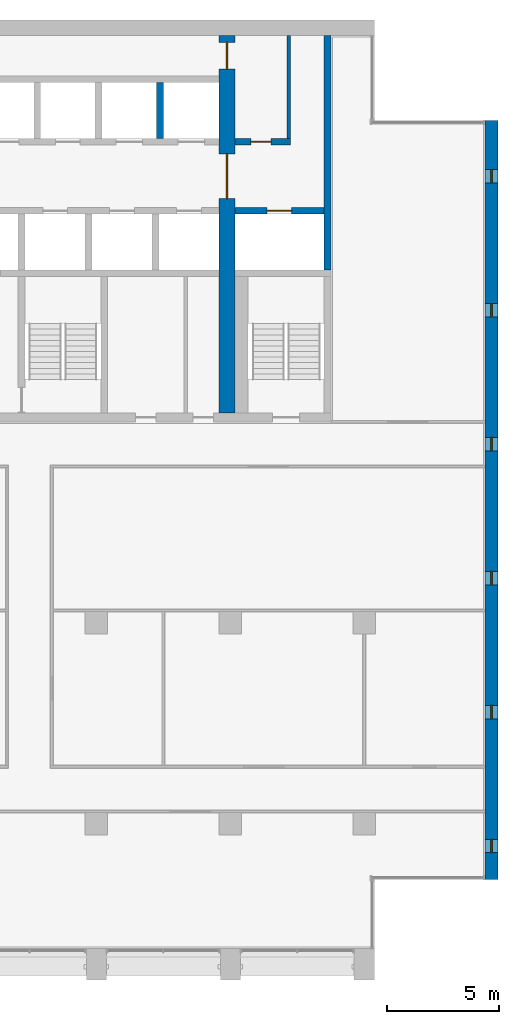
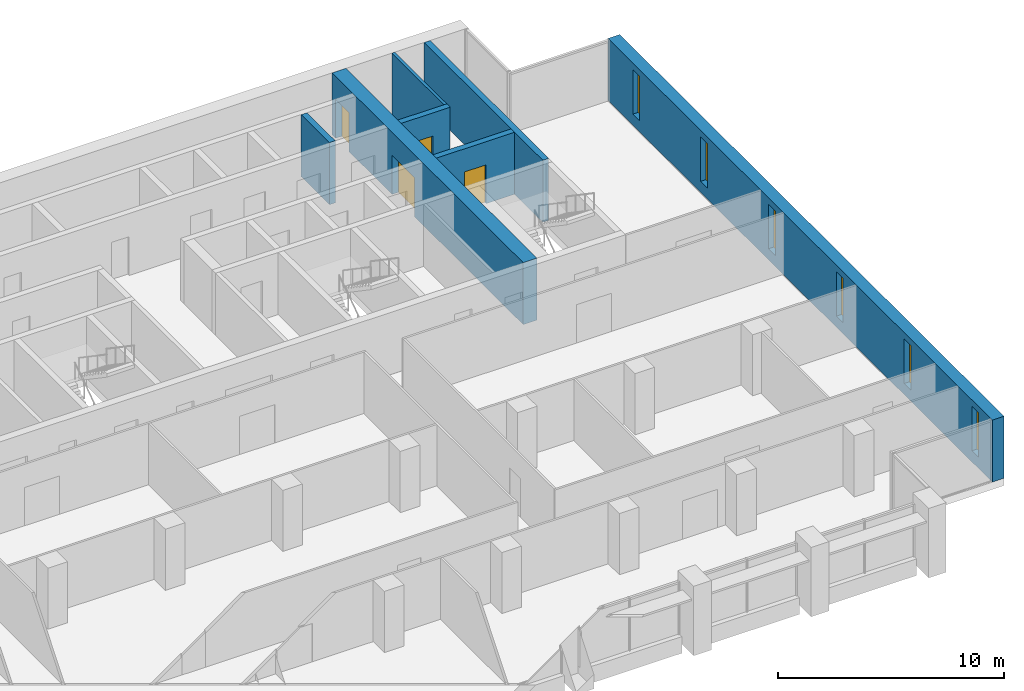
# One storey, part 12 of 17: 7 walls, 6 windows, 4 doors, 10 openings.
"""IFC4 building model written with IfcOpenShell, lengths in metres."""

import ifcopenshell
import ifcopenshell.guid

model = None  # the IFC model being written
_history = None  # IfcOwnerHistory: only IFC2X3 demands one
_inside = {}  # id of a spatial element -> (the spatial element, [elements in it])
_under = {}  # id of a project, library or spatial element -> (it, [spatial elements below it])
_declared = {}  # id of a project -> (the project, [libraries it declares])
_typed = {}  # id of a type object -> (the type object, [elements of that type])
_made_of = {}  # id of a material, layer set ... -> (it, [elements and type objects made of it])


def new_model(schema):
    """Start an empty IFC model of exactly this schema.

    Asked for "IFC4X3", IfcOpenShell would pick the latest addendum, in which some entities
    have other attributes; the version numbers below select the first issue.
    IFC2X3 requires an IfcOwnerHistory on every rooted entity: one is made here for all.
    """
    global model, _history
    if schema == "IFC4X3":
        model = ifcopenshell.file(schema_version=(4, 3, 0, 0))
    else:
        model = ifcopenshell.file(schema=schema)
    _inside.clear()
    _under.clear()
    _declared.clear()
    _typed.clear()
    _made_of.clear()
    _history = None
    if model.schema == "IFC2X3":
        org = make("IfcOrganization", Name="unknown")
        user = make(
            "IfcPersonAndOrganization",
            ThePerson=make("IfcPerson", FamilyName="unknown"),
            TheOrganization=org,
        )
        app = make(
            "IfcApplication",
            ApplicationDeveloper=org,
            Version="unknown",
            ApplicationFullName="unknown",
            ApplicationIdentifier="unknown",
        )
        _history = make(
            "IfcOwnerHistory",
            OwningUser=user,
            OwningApplication=app,
            ChangeAction="ADDED",
            CreationDate=0,
        )
    return model


def make(cls, **values):
    """One entity of the class cls with the attributes given. An attribute that is None is left unset."""
    return model.create_entity(
        cls, **{name: value for name, value in values.items() if value is not None}
    )


def rooted(cls, **values):
    """An entity with a GlobalId (a new one), such as an element, a storey or a relation."""
    return make(cls, GlobalId=ifcopenshell.guid.new(), OwnerHistory=_history, **values)


def si_unit(unit_type, name, prefix=None):
    """IfcSIUnit, for example si_unit("LENGTHUNIT", "METRE", prefix="MILLI")."""
    return make("IfcSIUnit", UnitType=unit_type, Prefix=prefix, Name=name)


def assignment(units):
    """IfcUnitAssignment: the units of a project."""
    return None if units is None else make("IfcUnitAssignment", Units=units)


def point(xyz):
    """IfcCartesianPoint."""
    return None if xyz is None else make("IfcCartesianPoint", Coordinates=xyz)


def direction(xyz):
    """IfcDirection."""
    return None if xyz is None else make("IfcDirection", DirectionRatios=xyz)


def frame(location, z_axis=None, x_axis=None):
    """IfcAxis2Placement3D, a coordinate frame: its origin and axes. An axis left out is left unset."""
    return make(
        "IfcAxis2Placement3D",
        Location=point(location),
        Axis=direction(z_axis),
        RefDirection=direction(x_axis),
    )


def frame_2d(location, x_axis=None):
    """IfcAxis2Placement2D, a coordinate frame in the plane: its origin and x axis."""
    return make(
        "IfcAxis2Placement2D", Location=point(location), RefDirection=direction(x_axis)
    )


def origin():
    """The frame at (0, 0, 0) with its axes left unset."""
    return frame((0.0, 0.0, 0.0))


def place(relative_to, where):
    """IfcLocalPlacement: puts the frame where relative to a parent placement (None: the world)."""
    return make(
        "IfcLocalPlacement", PlacementRelTo=relative_to, RelativePlacement=where
    )


def context(
    kind, dimensions, precision=None, world=None, true_north=None, identifier=None
):
    """IfcGeometricRepresentationContext, for example the 3D "Model" context."""
    return make(
        "IfcGeometricRepresentationContext",
        ContextIdentifier=identifier,
        ContextType=kind,
        CoordinateSpaceDimension=dimensions,
        Precision=precision,
        WorldCoordinateSystem=world,
        TrueNorth=true_north,
    )


def subcontext(parent, identifier, kind, view, scale=None):
    """IfcGeometricRepresentationSubContext, for example "Body" below "Model"."""
    return make(
        "IfcGeometricRepresentationSubContext",
        ContextIdentifier=identifier,
        ContextType=kind,
        ParentContext=parent,
        TargetScale=scale,
        TargetView=view,
    )


def project(units=None, contexts=None):
    """IfcProject with its units and contexts."""
    return rooted(
        "IfcProject",
        Name="project",
        RepresentationContexts=contexts,
        UnitsInContext=assignment(units),
    )


def spatial(cls, under=None, at=None, **own):
    """A site, building, storey or space (cls), placed at a placement, below another one or the project."""
    s = rooted(cls, ObjectPlacement=at, **own)
    if under is not None:
        _under.setdefault(under.id(), (under, []))[1].append(s)
    return s


def profile(cls, at=None, kind="AREA", **sizes):
    """A parametric profile (cls). Its sizes go by their IFC names, for example OverallWidth=200.0."""
    return make(cls, ProfileType=kind, Position=at, **sizes)


def rectangle(**sizes):
    """IfcRectangleProfileDef."""
    return profile("IfcRectangleProfileDef", **sizes)


def extrude(swept, where, along, depth):
    """IfcExtrudedAreaSolid: the profile swept, set in the frame where, extruded along a direction by depth."""
    return make(
        "IfcExtrudedAreaSolid",
        SweptArea=swept,
        Position=where,
        ExtrudedDirection=direction(along),
        Depth=depth,
    )


def shape(context_of_items, identifier, shape_type, items):
    """IfcShapeRepresentation: the items that make up one representation, for example the "Body"."""
    return make(
        "IfcShapeRepresentation",
        ContextOfItems=context_of_items,
        RepresentationIdentifier=identifier,
        RepresentationType=shape_type,
        Items=items,
    )


def material(Name=None, Category=None):
    """IfcMaterial."""
    return make("IfcMaterial", Name=Name, Category=Category)


def layer(
    of_material, thickness, ventilated=None, Name=None, Category=None, Priority=None
):
    """IfcMaterialLayer: one layer of a wall or slab, of a material (None: an air gap)."""
    return make(
        "IfcMaterialLayer",
        Material=of_material,
        LayerThickness=thickness,
        IsVentilated=ventilated,
        Name=Name,
        Category=Category,
        Priority=Priority,
    )


def layer_set(layers, Name=None):
    """IfcMaterialLayerSet."""
    return make("IfcMaterialLayerSet", MaterialLayers=layers, LayerSetName=Name)


def made_of(thing, what):
    """Note that an element or type object is made of a material, layer set ...; save() writes the relation."""
    if what is not None:
        _made_of.setdefault(what.id(), (what, []))[1].append(thing)
    return thing


def type_object(cls, material=None, **own):
    """A type object (cls), such as IfcWallType, which elements share."""
    return made_of(rooted(cls, **own), material)


def element(
    cls,
    number,
    at=None,
    inside=None,
    cuts=None,
    type_object=None,
    material=None,
    context=None,
    identifier="Body",
    shape_type=None,
    held_by="IfcProductDefinitionShape",
    body=None,
    shapes=None,
    **own,
):
    """One element of the class cls, such as IfcWall. Its Tag is "e" and its number.

    at: its placement. inside: the storey or other place that contains it. cuts: it is an
    opening in that element (IfcRelVoidsElement). A single representation is given by context,
    identifier, shape_type and body (its items); several are given by shapes. held_by: the class
    of the entity that holds the representations. save() writes the other relations.
    """
    e = rooted(cls, Tag="e%d" % number, ObjectPlacement=at, **own)
    if body is not None:
        shapes = [shape(context, identifier, shape_type, body)]
    if shapes is not None:
        e.Representation = make(held_by, Representations=shapes)
    if inside is not None:
        _inside.setdefault(inside.id(), (inside, []))[1].append(e)
    if cuts is not None:
        rooted(
            "IfcRelVoidsElement", RelatingBuildingElement=cuts, RelatedOpeningElement=e
        )
    if type_object is not None:
        _typed.setdefault(type_object.id(), (type_object, []))[1].append(e)
    return made_of(e, material)


def fill(opening, filler):
    """IfcRelFillsElement: the door or window that sits in an opening."""
    return rooted(
        "IfcRelFillsElement",
        RelatingOpeningElement=opening,
        RelatedBuildingElement=filler,
    )


def aggregate(whole, parts):
    """IfcRelAggregates: a whole, such as a stair, and the parts it consists of."""
    return rooted("IfcRelAggregates", RelatingObject=whole, RelatedObjects=parts)


def save(model, path):
    """Write the relations noted so far, then the file.

    IfcRelAggregates (storeys below a building ...), IfcRelContainedInSpatialStructure (elements
    in a storey), IfcRelDefinesByType, IfcRelAssociatesMaterial and IfcRelDeclares: one each for
    every whole, place, type object, material and project.
    """
    for whole, parts in _under.values():
        aggregate(whole, parts)
    for where, things in _inside.values():
        rooted(
            "IfcRelContainedInSpatialStructure",
            RelatedElements=things,
            RelatingStructure=where,
        )
    for kind, things in _typed.values():
        rooted("IfcRelDefinesByType", RelatedObjects=things, RelatingType=kind)
    for what, things in _made_of.values():
        rooted("IfcRelAssociatesMaterial", RelatedObjects=things, RelatingMaterial=what)
    for by, libraries in _declared.values():
        rooted("IfcRelDeclares", RelatingContext=by, RelatedDefinitions=libraries)
    model.write(path)


model = new_model("IFC4")

# Units and contexts
model_context = context("Model", 3, precision=1e-05, world=origin(), true_north=direction((0.0, 1.0)))
body_context = subcontext(model_context, "Body", "Model", "MODEL_VIEW")
ifc_project = project(units=[si_unit("LENGTHUNIT", "METRE"), si_unit("AREAUNIT", "SQUARE_METRE"), si_unit("VOLUMEUNIT", "CUBIC_METRE"), si_unit("PLANEANGLEUNIT", "RADIAN"), si_unit("MASSUNIT", "GRAM", prefix="KILO")], contexts=[model_context])

# Site, building, storey
site_placement = place(None, origin())
site = spatial("IfcSite", under=ifc_project, at=site_placement, CompositionType="ELEMENT")
building_placement = place(site_placement, origin())
building = spatial("IfcBuilding", under=site, at=building_placement, Name="Calvaro Tower", CompositionType="ELEMENT")
storey_placement = place(building_placement, frame((0.0, 0.0, 215.5)))
storey = spatial("IfcBuildingStorey", under=building, at=storey_placement, Name="L54", CompositionType="ELEMENT", Elevation=215.5)

# Wall
ifc_material_1 = material(Name="Blockwork partition", Category="masonry")
ifc_layer_1 = layer(ifc_material_1, 0.14990234375)
ifc_layer_set_1 = layer_set([ifc_layer_1], Name="Blockwork partition")
wall_type_1 = type_object("IfcWallType", Name="Core partition 150 REI 120", PredefinedType="PARTITIONING", material=ifc_layer_set_1)
wall_1_placement = place(storey_placement, frame((62.625, 40.699951171875, 0.0), z_axis=(0.0, 0.0, 1.0), x_axis=(0.0, 1.0, 0.0)))
element("IfcWall", 1, at=wall_1_placement, inside=storey, type_object=wall_type_1, Name="Core partition", PredefinedType="PARTITIONING", context=body_context, shape_type="SweptSolid", body=[
    extrude(rectangle(XDim=4.60009765625, YDim=0.14990234375, at=frame_2d((2.300048828125, 0.0))), origin(), (0.0, 0.0, 1.0), 3.35009765625),
])

# Wall, opening, door
ifc_material_2 = material(Name="Blockwork partition", Category="masonry")
ifc_layer_2 = layer(ifc_material_2, 0.300048828125)
ifc_layer_set_2 = layer_set([ifc_layer_2], Name="Blockwork partition")
wall_type_2 = type_object("IfcWallType", Name="Core partition 300 REI 120", PredefinedType="PARTITIONING", material=ifc_layer_set_2)
wall_2_placement = place(storey_placement, frame((60.199951171875, 40.550048828125, 0.0), z_axis=(0.0, 0.0, 1.0), x_axis=(1.0, 0.0, 0.0)))
wall_2 = element("IfcWall", 2, at=wall_2_placement, inside=storey, type_object=wall_type_2, Name="Core partition", PredefinedType="PARTITIONING", context=body_context, shape_type="SweptSolid", body=[
    extrude(rectangle(XDim=2.5, YDim=0.300048828125, at=frame_2d((1.25, 0.0))), origin(), (0.0, 0.0, 1.0), 3.35009765625),
])
opening_1_placement = place(wall_2_placement, frame((0.72509765625, 0.0, 0.0)))
opening_1 = element("IfcOpeningElement", 3, at=opening_1_placement, cuts=wall_2, Name="Opening RD9E", PredefinedType="OPENING", context=body_context, shape_type="SweptSolid", body=[
    extrude(rectangle(XDim=0.89990234375, YDim=2.10009765625, at=frame_2d((0.449951171875, 1.050048828125))), frame((0.0, 0.159912109375, 0.0), z_axis=(0.0, -1.0, 0.0), x_axis=(1.0, 0.0, 0.0)), (0.0, 0.0, 1.0), 0.320068359375),
])
ifc_material_3 = material(Name="Steel door set", Category="steel")
door_type_1 = type_object("IfcDoorType", Name="Room door 900 FD60", OperationType="SINGLE_SWING_LEFT", PredefinedType="DOOR", material=ifc_material_3)
door_1_placement = place(opening_1_placement, origin())
door_1 = element("IfcDoor", 4, at=door_1_placement, inside=storey, type_object=door_type_1, Name="Room door", OperationType="SINGLE_SWING_LEFT", OverallHeight=2.10009765625, OverallWidth=0.89990234375, PredefinedType="DOOR", context=body_context, shape_type="SweptSolid", body=[
    extrude(rectangle(XDim=0.89990234375, YDim=2.10009765625, at=frame_2d((0.449951171875, 1.050048828125))), frame((0.0, 0.02490234375, 0.0), z_axis=(0.0, -1.0, 0.0), x_axis=(1.0, 0.0, 0.0)), (0.0, 0.0, 1.0), 0.050048828125),
])
fill(opening_1, door_1)

# Wall
ifc_material_4 = material(Name="Concrete C50/60", Category="concrete")
ifc_layer_3 = layer(ifc_material_4, 0.300048828125)
ifc_layer_set_3 = layer_set([ifc_layer_3], Name="Concrete C50/60")
wall_type_3 = type_object("IfcWallType", Name="Core wall C50/60 300", PredefinedType="SHEAR", material=ifc_layer_set_3)
wall_3_placement = place(storey_placement, frame((64.35009765625, 34.800048828125, 0.0), z_axis=(0.0, 0.0, 1.0), x_axis=(0.0, 1.0, 0.0)))
element("IfcWall", 5, at=wall_3_placement, inside=storey, type_object=wall_type_3, Name="Core wall, boundary", PredefinedType="SHEAR", context=body_context, shape_type="SweptSolid", body=[
    extrude(rectangle(XDim=10.5, YDim=0.300048828125, at=frame_2d((5.25, 0.0))), origin(), (0.0, 0.0, 1.0), 3.35009765625),
])

# Wall, opening, door
wall_4_placement = place(storey_placement, frame((60.199951171875, 37.449951171875, 0.0), z_axis=(0.0, 0.0, 1.0), x_axis=(1.0, 0.0, 0.0)))
wall_4 = element("IfcWall", 6, at=wall_4_placement, inside=storey, type_object=wall_type_3, Name="Core wall, lift shaft", PredefinedType="SHEAR", context=body_context, shape_type="SweptSolid", body=[
    extrude(rectangle(XDim=4.0, YDim=0.300048828125, at=frame_2d((2.0, 0.0))), origin(), (0.0, 0.0, 1.0), 3.35009765625),
])
opening_2_placement = place(wall_4_placement, frame((1.449951171875, 0.0, 0.0)))
opening_2 = element("IfcOpeningElement", 7, at=opening_2_placement, cuts=wall_4, Name="Opening FF3", PredefinedType="OPENING", context=body_context, shape_type="SweptSolid", body=[
    extrude(rectangle(XDim=1.10009765625, YDim=2.10009765625, at=frame_2d((0.550048828125, 1.050048828125))), frame((0.0, 0.159912109375, 0.0), z_axis=(0.0, -1.0, 0.0), x_axis=(1.0, 0.0, 0.0)), (0.0, 0.0, 1.0), 0.320068359375),
])
ifc_material_5 = material(Name="Stainless steel", Category="steel")
door_type_2 = type_object("IfcDoorType", Name="Landing door 1100 E 60", OperationType="SLIDING_TO_LEFT", PredefinedType="DOOR", material=ifc_material_5)
door_2_placement = place(opening_2_placement, origin())
door_2 = element("IfcDoor", 8, at=door_2_placement, inside=storey, type_object=door_type_2, Name="Landing door FF3", OperationType="SLIDING_TO_LEFT", OverallHeight=2.10009765625, OverallWidth=1.10009765625, PredefinedType="DOOR", context=body_context, shape_type="SweptSolid", body=[
    extrude(rectangle(XDim=1.10009765625, YDim=2.10009765625, at=frame_2d((0.550048828125, 1.050048828125))), frame((0.0, 0.02490234375, 0.0), z_axis=(0.0, -1.0, 0.0), x_axis=(1.0, 0.0, 0.0)), (0.0, 0.0, 1.0), 0.050048828125),
])
fill(opening_2, door_2)

# Wall
wall_5_placement = place(storey_placement, frame((56.85009765625, 40.699951171875, 0.0), z_axis=(0.0, 0.0, 1.0), x_axis=(0.0, 1.0, 0.0)))
element("IfcWall", 9, at=wall_5_placement, inside=storey, type_object=wall_type_3, Name="Core wall, lift shaft", PredefinedType="SHEAR", context=body_context, shape_type="SweptSolid", body=[
    extrude(rectangle(XDim=2.5, YDim=0.300048828125, at=frame_2d((1.25, 0.0))), origin(), (0.0, 0.0, 1.0), 3.35009765625),
])

# Wall, openings, doors
ifc_material_6 = material(Name="Concrete C50/60", Category="concrete")
ifc_layer_4 = layer(ifc_material_6, 0.699951171875)
ifc_layer_set_4 = layer_set([ifc_layer_4], Name="Concrete C50/60")
wall_type_4 = type_object("IfcWallType", Name="Core wall C50/60 700", PredefinedType="SHEAR", material=ifc_layer_set_4)
wall_6_placement = place(storey_placement, frame((59.85009765625, 28.39990234375, 0.0), z_axis=(0.0, 0.0, 1.0), x_axis=(0.0, 1.0, 0.0)))
wall_6 = element("IfcWall", 10, at=wall_6_placement, inside=storey, type_object=wall_type_4, Name="Core wall, cross shear wall", PredefinedType="SHEAR", context=body_context, shape_type="SweptSolid", body=[
    extrude(rectangle(XDim=16.900146484375, YDim=0.699951171875, at=frame_2d((8.4501953125, 0.0))), origin(), (0.0, 0.0, 1.0), 3.35009765625),
])
opening_3_placement = place(wall_6_placement, frame((9.60009765625, 0.0, 0.0)))
opening_3 = element("IfcOpeningElement", 11, at=opening_3_placement, cuts=wall_6, Name="Opening DD20D", PredefinedType="OPENING", context=body_context, shape_type="SweptSolid", body=[
    extrude(rectangle(XDim=2.0, YDim=2.10009765625, at=frame_2d((1.0, 1.050048828125))), frame((0.0, 0.35986328125, 0.0), z_axis=(0.0, -1.0, 0.0), x_axis=(1.0, 0.0, 0.0)), (0.0, 0.0, 1.0), 0.719970703125),
])
opening_4_placement = place(wall_6_placement, frame((15.39990234375, 0.0, 0.0)))
opening_4 = element("IfcOpeningElement", 12, at=opening_4_placement, cuts=wall_6, Name="Opening FD12C", PredefinedType="OPENING", context=body_context, shape_type="SweptSolid", body=[
    extrude(rectangle(XDim=1.199951171875, YDim=2.10009765625, at=frame_2d((0.60009765625, 1.050048828125))), frame((0.0, 0.35986328125, 0.0), z_axis=(0.0, -1.0, 0.0), x_axis=(1.0, 0.0, 0.0)), (0.0, 0.0, 1.0), 0.719970703125),
])
ifc_material_7 = material(Name="Steel door set", Category="steel")
door_type_3 = type_object("IfcDoorType", Name="Fire door 1200 FD30", OperationType="SINGLE_SWING_LEFT", PredefinedType="DOOR", material=ifc_material_7)
door_3_placement = place(opening_4_placement, origin())
door_3 = element("IfcDoor", 13, at=door_3_placement, inside=storey, type_object=door_type_3, Name="Fire door", OperationType="SINGLE_SWING_LEFT", OverallHeight=2.10009765625, OverallWidth=1.199951171875, PredefinedType="DOOR", context=body_context, shape_type="SweptSolid", body=[
    extrude(rectangle(XDim=1.199951171875, YDim=2.10009765625, at=frame_2d((0.60009765625, 1.050048828125))), frame((0.0, 0.02490234375, 0.0), z_axis=(0.0, -1.0, 0.0), x_axis=(1.0, 0.0, 0.0)), (0.0, 0.0, 1.0), 0.050048828125),
])
fill(opening_4, door_3)
ifc_material_8 = material(Name="Steel door set", Category="steel")
door_type_4 = type_object("IfcDoorType", Name="Lobby double door 2000 FD30S", OperationType="DOUBLE_DOOR_SINGLE_SWING", PredefinedType="DOOR", material=ifc_material_8)
door_4_placement = place(opening_3_placement, origin())
door_4 = element("IfcDoor", 14, at=door_4_placement, inside=storey, type_object=door_type_4, Name="Lobby double door", OperationType="DOUBLE_DOOR_SINGLE_SWING", OverallHeight=2.10009765625, OverallWidth=2.0, PredefinedType="DOOR", context=body_context, shape_type="SweptSolid", body=[
    extrude(rectangle(XDim=2.0, YDim=2.10009765625, at=frame_2d((1.0, 1.050048828125))), frame((0.0, 0.02490234375, 0.0), z_axis=(0.0, -1.0, 0.0), x_axis=(1.0, 0.0, 0.0)), (0.0, 0.0, 1.0), 0.050048828125),
])
fill(opening_3, door_4)

# Wall, openings, windows
ifc_material_9 = material(Name="Concrete C50/60", Category="concrete")
ifc_layer_5 = layer(ifc_material_9, 0.60009765625)
ifc_layer_set_5 = layer_set([ifc_layer_5], Name="Concrete C50/60")
wall_type_5 = type_object("IfcWallType", Name="End wall 600 C50/60", PredefinedType="SHEAR", material=ifc_layer_set_5)
wall_7_placement = place(storey_placement, frame((71.699951171875, 7.5, 0.0), z_axis=(0.0, 0.0, 1.0), x_axis=(0.0, 1.0, 0.0)))
wall_7 = element("IfcWall", 15, at=wall_7_placement, inside=storey, type_object=wall_type_5, Name="End shear wall", PredefinedType="SHEAR", context=body_context, shape_type="SweptSolid", body=[
    extrude(rectangle(XDim=34.0, YDim=0.60009765625, at=frame_2d((17.0, 0.0))), origin(), (0.0, 0.0, 1.0), 3.35009765625),
])
opening_5_placement = place(wall_7_placement, frame((1.199951171875, 0.0, 0.60009765625)))
opening_5 = element("IfcOpeningElement", 16, at=opening_5_placement, cuts=wall_7, Name="Opening WE01", PredefinedType="OPENING", context=body_context, shape_type="SweptSolid", body=[
    extrude(rectangle(XDim=0.60009765625, YDim=2.39990234375, at=frame_2d((0.300048828125, 1.199951171875))), frame((0.0, 0.31005859375, 0.0), z_axis=(0.0, -1.0, 0.0), x_axis=(1.0, 0.0, 0.0)), (0.0, 0.0, 1.0), 0.6201171875),
])
opening_6_placement = place(wall_7_placement, frame((7.199951171875, 0.0, 0.60009765625)))
opening_6 = element("IfcOpeningElement", 17, at=opening_6_placement, cuts=wall_7, Name="Opening WE02", PredefinedType="OPENING", context=body_context, shape_type="SweptSolid", body=[
    extrude(rectangle(XDim=0.60009765625, YDim=2.39990234375, at=frame_2d((0.300048828125, 1.199951171875))), frame((0.0, 0.31005859375, 0.0), z_axis=(0.0, -1.0, 0.0), x_axis=(1.0, 0.0, 0.0)), (0.0, 0.0, 1.0), 0.6201171875),
])
opening_7_placement = place(wall_7_placement, frame((13.199951171875, 0.0, 0.60009765625)))
opening_7 = element("IfcOpeningElement", 18, at=opening_7_placement, cuts=wall_7, Name="Opening WE03", PredefinedType="OPENING", context=body_context, shape_type="SweptSolid", body=[
    extrude(rectangle(XDim=0.60009765625, YDim=2.39990234375, at=frame_2d((0.300048828125, 1.199951171875))), frame((0.0, 0.31005859375, 0.0), z_axis=(0.0, -1.0, 0.0), x_axis=(1.0, 0.0, 0.0)), (0.0, 0.0, 1.0), 0.6201171875),
])
opening_8_placement = place(wall_7_placement, frame((19.199951171875, 0.0, 0.60009765625)))
opening_8 = element("IfcOpeningElement", 19, at=opening_8_placement, cuts=wall_7, Name="Opening WE04", PredefinedType="OPENING", context=body_context, shape_type="SweptSolid", body=[
    extrude(rectangle(XDim=0.60009765625, YDim=2.39990234375, at=frame_2d((0.300048828125, 1.199951171875))), frame((0.0, 0.31005859375, 0.0), z_axis=(0.0, -1.0, 0.0), x_axis=(1.0, 0.0, 0.0)), (0.0, 0.0, 1.0), 0.6201171875),
])
opening_9_placement = place(wall_7_placement, frame((25.199951171875, 0.0, 0.60009765625)))
opening_9 = element("IfcOpeningElement", 20, at=opening_9_placement, cuts=wall_7, Name="Opening WE05", PredefinedType="OPENING", context=body_context, shape_type="SweptSolid", body=[
    extrude(rectangle(XDim=0.60009765625, YDim=2.39990234375, at=frame_2d((0.300048828125, 1.199951171875))), frame((0.0, 0.31005859375, 0.0), z_axis=(0.0, -1.0, 0.0), x_axis=(1.0, 0.0, 0.0)), (0.0, 0.0, 1.0), 0.6201171875),
])
opening_10_placement = place(wall_7_placement, frame((31.199951171875, 0.0, 0.60009765625)))
opening_10 = element("IfcOpeningElement", 21, at=opening_10_placement, cuts=wall_7, Name="Opening WE06", PredefinedType="OPENING", context=body_context, shape_type="SweptSolid", body=[
    extrude(rectangle(XDim=0.60009765625, YDim=2.39990234375, at=frame_2d((0.300048828125, 1.199951171875))), frame((0.0, 0.31005859375, 0.0), z_axis=(0.0, -1.0, 0.0), x_axis=(1.0, 0.0, 0.0)), (0.0, 0.0, 1.0), 0.6201171875),
])
ifc_material_10 = material(Name="Glass", Category="glass")
window_type = type_object("IfcWindowType", Name="Slit window 600 x 2400", PartitioningType="SINGLE_PANEL", PredefinedType="WINDOW", material=ifc_material_10)
window_1_placement = place(opening_5_placement, origin())
window_1 = element("IfcWindow", 22, at=window_1_placement, inside=storey, type_object=window_type, Name="Window WE01", OverallHeight=2.39990234375, OverallWidth=0.60009765625, PartitioningType="SINGLE_PANEL", PredefinedType="WINDOW", context=body_context, shape_type="SweptSolid", body=[
    extrude(rectangle(XDim=0.60009765625, YDim=2.39990234375, at=frame_2d((0.300048828125, 1.199951171875))), frame((0.0, 0.030029296875, 0.0), z_axis=(0.0, -1.0, 0.0), x_axis=(1.0, 0.0, 0.0)), (0.0, 0.0, 1.0), 0.06005859375),
])
fill(opening_5, window_1)
window_2_placement = place(opening_6_placement, origin())
window_2 = element("IfcWindow", 23, at=window_2_placement, inside=storey, type_object=window_type, Name="Window WE02", OverallHeight=2.39990234375, OverallWidth=0.60009765625, PartitioningType="SINGLE_PANEL", PredefinedType="WINDOW", context=body_context, shape_type="SweptSolid", body=[
    extrude(rectangle(XDim=0.60009765625, YDim=2.39990234375, at=frame_2d((0.300048828125, 1.199951171875))), frame((0.0, 0.030029296875, 0.0), z_axis=(0.0, -1.0, 0.0), x_axis=(1.0, 0.0, 0.0)), (0.0, 0.0, 1.0), 0.06005859375),
])
fill(opening_6, window_2)
window_3_placement = place(opening_7_placement, origin())
window_3 = element("IfcWindow", 24, at=window_3_placement, inside=storey, type_object=window_type, Name="Window WE03", OverallHeight=2.39990234375, OverallWidth=0.60009765625, PartitioningType="SINGLE_PANEL", PredefinedType="WINDOW", context=body_context, shape_type="SweptSolid", body=[
    extrude(rectangle(XDim=0.60009765625, YDim=2.39990234375, at=frame_2d((0.300048828125, 1.199951171875))), frame((0.0, 0.030029296875, 0.0), z_axis=(0.0, -1.0, 0.0), x_axis=(1.0, 0.0, 0.0)), (0.0, 0.0, 1.0), 0.06005859375),
])
fill(opening_7, window_3)
window_4_placement = place(opening_8_placement, origin())
window_4 = element("IfcWindow", 25, at=window_4_placement, inside=storey, type_object=window_type, Name="Window WE04", OverallHeight=2.39990234375, OverallWidth=0.60009765625, PartitioningType="SINGLE_PANEL", PredefinedType="WINDOW", context=body_context, shape_type="SweptSolid", body=[
    extrude(rectangle(XDim=0.60009765625, YDim=2.39990234375, at=frame_2d((0.300048828125, 1.199951171875))), frame((0.0, 0.030029296875, 0.0), z_axis=(0.0, -1.0, 0.0), x_axis=(1.0, 0.0, 0.0)), (0.0, 0.0, 1.0), 0.06005859375),
])
fill(opening_8, window_4)
window_5_placement = place(opening_9_placement, origin())
window_5 = element("IfcWindow", 26, at=window_5_placement, inside=storey, type_object=window_type, Name="Window WE05", OverallHeight=2.39990234375, OverallWidth=0.60009765625, PartitioningType="SINGLE_PANEL", PredefinedType="WINDOW", context=body_context, shape_type="SweptSolid", body=[
    extrude(rectangle(XDim=0.60009765625, YDim=2.39990234375, at=frame_2d((0.300048828125, 1.199951171875))), frame((0.0, 0.030029296875, 0.0), z_axis=(0.0, -1.0, 0.0), x_axis=(1.0, 0.0, 0.0)), (0.0, 0.0, 1.0), 0.06005859375),
])
fill(opening_9, window_5)
window_6_placement = place(opening_10_placement, origin())
window_6 = element("IfcWindow", 27, at=window_6_placement, inside=storey, type_object=window_type, Name="Window WE06", OverallHeight=2.39990234375, OverallWidth=0.60009765625, PartitioningType="SINGLE_PANEL", PredefinedType="WINDOW", context=body_context, shape_type="SweptSolid", body=[
    extrude(rectangle(XDim=0.60009765625, YDim=2.39990234375, at=frame_2d((0.300048828125, 1.199951171875))), frame((0.0, 0.030029296875, 0.0), z_axis=(0.0, -1.0, 0.0), x_axis=(1.0, 0.0, 0.0)), (0.0, 0.0, 1.0), 0.06005859375),
])
fill(opening_10, window_6)

save(model, "model.ifc")
